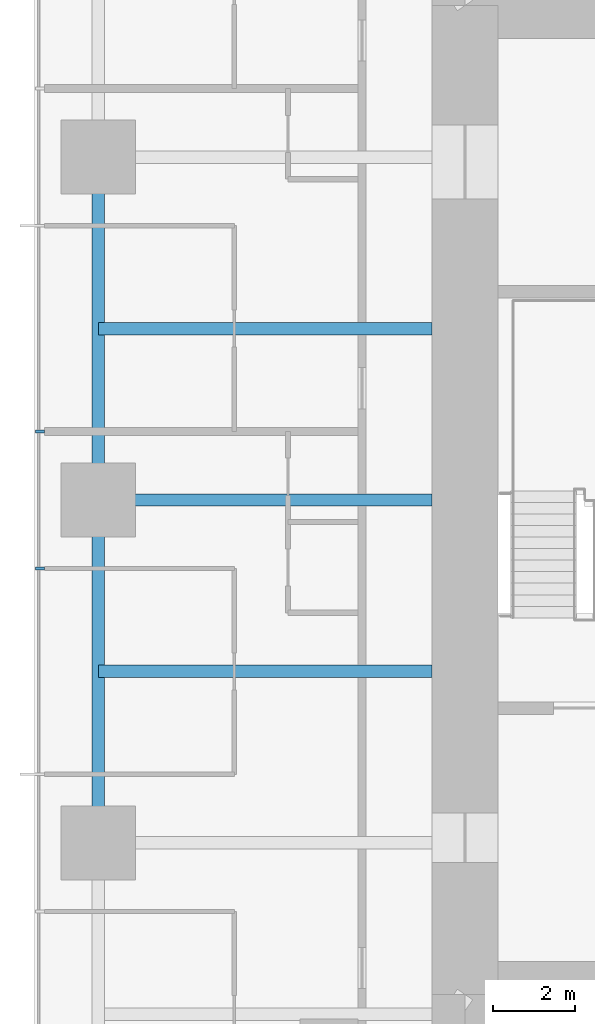
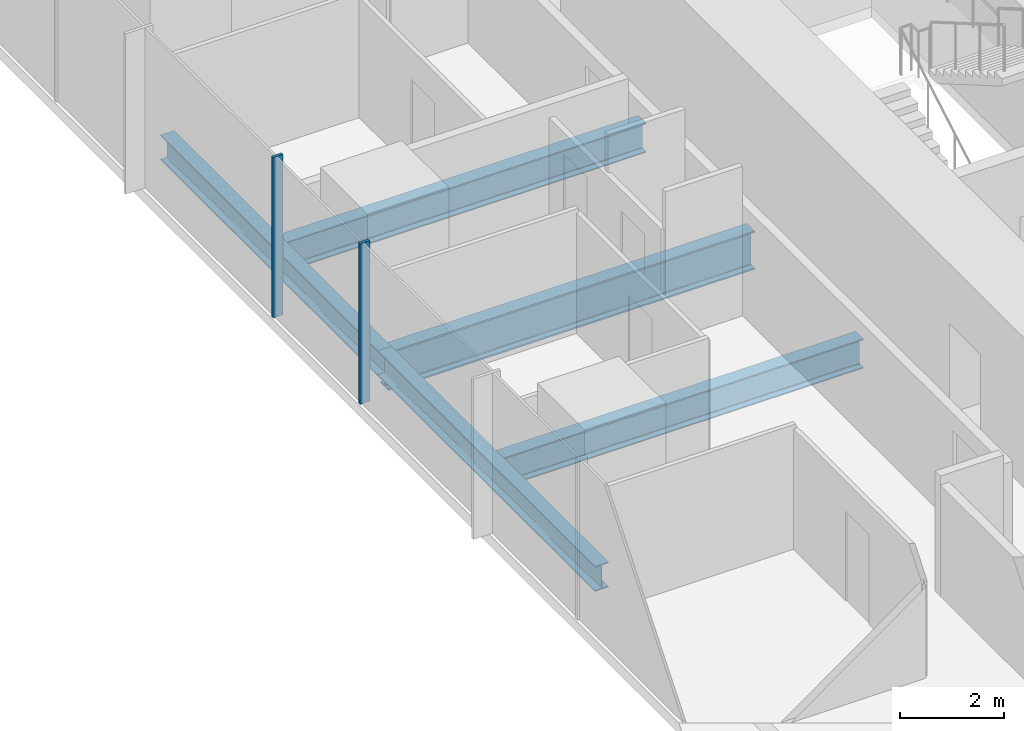
# One storey, part 3 of 12: 5 beams, 2 members, 1 element without a shape of its own.
"""IFC4 building model written with IfcOpenShell, lengths in metres."""

from ifc_helpers import new_model, si_unit, direction, frame, origin, origin_2d, place, context, subcontext, project, spatial, rectangle, i_section, extrude, material, material_profile, profile_set, type_object, element, aggregate, save


model = new_model("IFC4")

# Units and contexts
model_context = context("Model", 3, precision=1e-05, world=origin(), true_north=direction((0.0, 1.0)))
body_context = subcontext(model_context, "Body", "Model", "MODEL_VIEW")
ifc_project = project(units=[si_unit("LENGTHUNIT", "METRE"), si_unit("AREAUNIT", "SQUARE_METRE"), si_unit("VOLUMEUNIT", "CUBIC_METRE"), si_unit("PLANEANGLEUNIT", "RADIAN"), si_unit("MASSUNIT", "GRAM", prefix="KILO")], contexts=[model_context])

# Site, building, storey
site_placement = place(None, origin())
site = spatial("IfcSite", under=ifc_project, at=site_placement, CompositionType="ELEMENT")
building_placement = place(site_placement, origin())
building = spatial("IfcBuilding", under=site, at=building_placement, Name="Khuree Lantern Residences", CompositionType="ELEMENT")
storey_placement = place(building_placement, frame((0.0, 0.0, 244.5)))
storey = spatial("IfcBuildingStorey", under=building, at=storey_placement, Name="L61", CompositionType="ELEMENT", Elevation=244.5)

# Beams
ifc_material_1 = material(Name="Steel S355", Category="steel")
ifc_material_profile_1 = material_profile(ifc_material_1, i_section(OverallWidth=0.300048828125, OverallDepth=0.68994140625, WebThickness=0.014404296875, FlangeThickness=0.027099609375, FilletRadius=0.027099609375, at=origin_2d()), Name="HE 700 A")
ifc_profile_set_1 = profile_set([ifc_material_profile_1], Name="Steel S355")
beam_type_1 = type_object("IfcBeamType", Name="B-34 SECONDARY BEAM HE 700 A", PredefinedType="BEAM", material=ifc_profile_set_1)
for number, where, z_axis, x_axis, name in (
    (1, (-24.39990234375, -4.159912109375, -0.594970703125), (1.0, 0.0, 0.0), (0.0, 1.0, 0.0), "Secondary beam W3"),
    (2, (-24.39990234375, 4.159912109375, -0.594970703125), (1.0, 0.0, 0.0), (0.0, 1.0, 0.0), "Secondary beam W4"),
):
    element("IfcBeam", number, at=place(storey_placement, frame(where, z_axis=z_axis, x_axis=x_axis)), inside=storey, type_object=beam_type_1, Name=name, PredefinedType="BEAM", context=body_context, shape_type="SweptSolid", body=[
        extrude(i_section(OverallWidth=0.300048828125, OverallDepth=0.68994140625, WebThickness=0.014404296875, FlangeThickness=0.027099609375, FilletRadius=0.027099609375, at=origin_2d()), origin(), (0.0, 0.0, 1.0), 8.099853515625),
    ])
ifc_material_profile_2 = material_profile(ifc_material_1, i_section(OverallWidth=0.300048828125, OverallDepth=0.590087890625, WebThickness=0.012939453125, FlangeThickness=0.02490234375, FilletRadius=0.027099609375, at=origin_2d()), Name="HE 600 A")
ifc_profile_set_2 = profile_set([ifc_material_profile_2], Name="Steel S355")
beam_type_2 = type_object("IfcBeamType", Name="E-34 SPANDREL BEAM HE 600 A", PredefinedType="SPANDREL", material=ifc_profile_set_2)
for number, where, z_axis, x_axis, name in (
    (3, (-24.39990234375, -8.320068359375, -0.544921875), (0.0, 1.0, 0.0), (-1.0, 0.0, 0.0), "Spandrel beam W3"),
    (4, (-24.39990234375, 0.0, -0.544921875), (0.0, 1.0, 0.0), (-1.0, 0.0, 0.0), "Spandrel beam W4"),
):
    element("IfcBeam", number, at=place(storey_placement, frame(where, z_axis=z_axis, x_axis=x_axis)), inside=storey, type_object=beam_type_2, Name=name, PredefinedType="SPANDREL", context=body_context, shape_type="SweptSolid", body=[
        extrude(i_section(OverallWidth=0.300048828125, OverallDepth=0.590087890625, WebThickness=0.012939453125, FlangeThickness=0.02490234375, FilletRadius=0.027099609375, at=origin_2d()), origin(), (0.0, 0.0, 1.0), 8.320068359375),
    ])
ifc_material_profile_3 = material_profile(ifc_material_1, i_section(OverallWidth=0.300048828125, OverallDepth=0.89990234375, WebThickness=0.0185546875, FlangeThickness=0.034912109375, FilletRadius=0.030029296875, at=origin_2d()), Name="HE 900 B")
ifc_profile_set_3 = profile_set([ifc_material_profile_3], Name="Steel S355")
beam_type_3 = type_object("IfcBeamType", Name="G-34 GIRDER HE 900 B", PredefinedType="BEAM", material=ifc_profile_set_3)
beam_placement = place(storey_placement, frame((-24.39990234375, 0.0, -0.699951171875), z_axis=(1.0, 0.0, 0.0), x_axis=(0.0, 1.0, 0.0)))
element("IfcBeam", 5, at=beam_placement, inside=storey, type_object=beam_type_3, Name="Girder W3", PredefinedType="BEAM", context=body_context, shape_type="SweptSolid", body=[
    extrude(i_section(OverallWidth=0.300048828125, OverallDepth=0.89990234375, WebThickness=0.0185546875, FlangeThickness=0.034912109375, FilletRadius=0.030029296875, at=origin_2d()), origin(), (0.0, 0.0, 1.0), 8.099853515625),
])

# Curtain wall, members
ifc_material_2 = material(Name="Bronze anodised aluminium", Category="aluminium")
curtain_wall_type = type_object("IfcCurtainWallType", Name="CW-T1 TOWER FACE CURTAIN WALL", PredefinedType="USERDEFINED", material=ifc_material_2)
curtain_wall_placement = place(storey_placement, origin())
curtain_wall = element("IfcCurtainWall", 6, at=curtain_wall_placement, inside=storey, type_object=curtain_wall_type, Name="L61 WEST FACE CURTAIN WALL", ObjectType="Stick-built curtain wall", PredefinedType="USERDEFINED")
ifc_material_profile_4 = material_profile(ifc_material_2, rectangle(XDim=0.06494140625, YDim=0.219970703125, at=origin_2d()), Name="M1 65X220")
ifc_profile_set_4 = profile_set([ifc_material_profile_4], Name="Bronze anodised aluminium")
member_type = type_object("IfcMemberType", Name="M1 BRONZE MULLION TOWER 65X220", PredefinedType="MULLION", material=ifc_profile_set_4)
member_1_placement = place(storey_placement, frame((-25.81005859375, 1.6640625, 0.0), z_axis=(0.0, 0.0, 1.0), x_axis=(0.0, -1.0, 0.0)))
member_1 = element("IfcMember", 7, at=member_1_placement, type_object=member_type, Name="L61 WEST FACE MULLION 37", PredefinedType="MULLION", context=body_context, shape_type="SweptSolid", body=[
    extrude(rectangle(XDim=0.06494140625, YDim=0.219970703125, at=origin_2d()), origin(), (0.0, 0.0, 1.0), 3.75),
])
member_2_placement = place(storey_placement, frame((-25.81005859375, -1.6640625, 0.0), z_axis=(0.0, 0.0, 1.0), x_axis=(0.0, -1.0, 0.0)))
member_2 = element("IfcMember", 8, at=member_2_placement, type_object=member_type, Name="L61 WEST FACE MULLION 38", PredefinedType="MULLION", context=body_context, shape_type="SweptSolid", body=[
    extrude(rectangle(XDim=0.06494140625, YDim=0.219970703125, at=origin_2d()), origin(), (0.0, 0.0, 1.0), 3.75),
])
aggregate(curtain_wall, [member_1, member_2])

save(model, "model.ifc")
